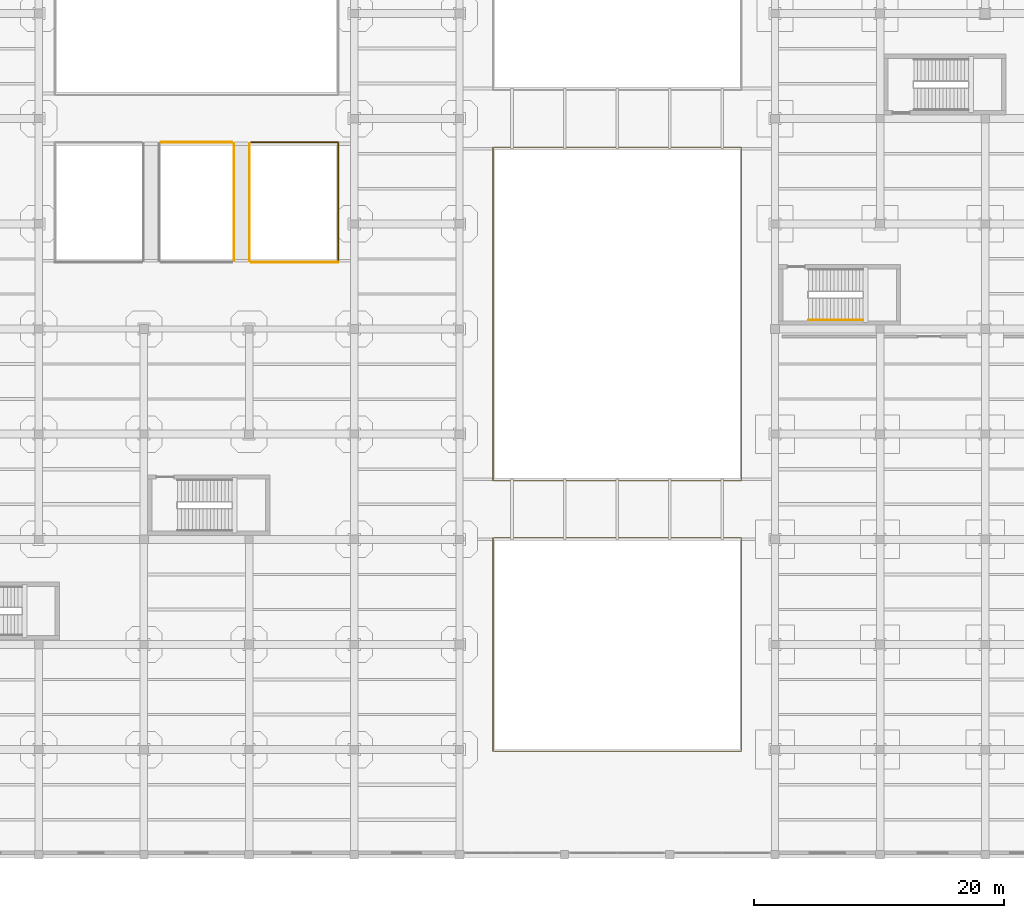
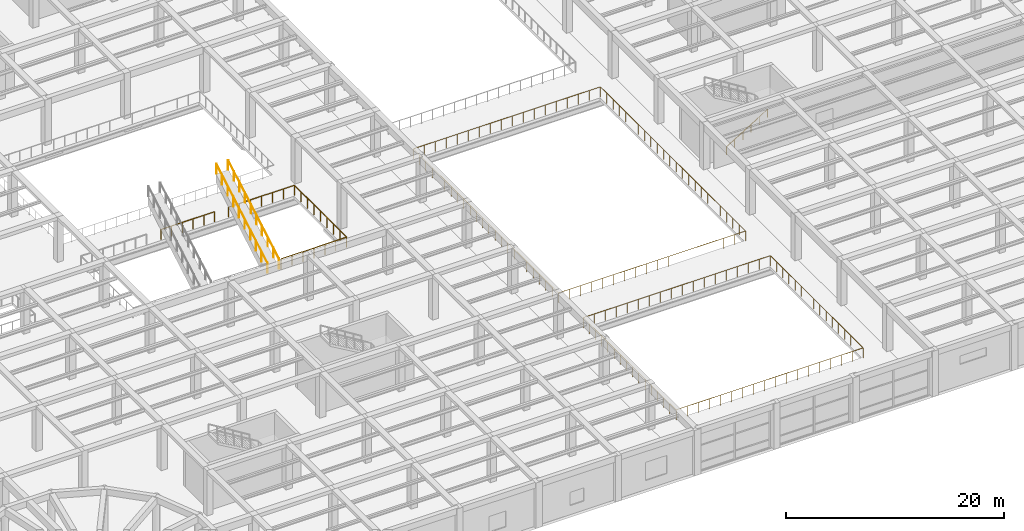
# One storey, part 56 of 65: 8 railings.
"""IFC4 building model written with IfcOpenShell, lengths in metres."""

import ifcopenshell
import ifcopenshell.guid

model = None  # the IFC model being written
_history = None  # IfcOwnerHistory: only IFC2X3 demands one
_inside = {}  # id of a spatial element -> (the spatial element, [elements in it])
_under = {}  # id of a project, library or spatial element -> (it, [spatial elements below it])
_declared = {}  # id of a project -> (the project, [libraries it declares])
_typed = {}  # id of a type object -> (the type object, [elements of that type])
_made_of = {}  # id of a material, layer set ... -> (it, [elements and type objects made of it])


def new_model(schema):
    """Start an empty IFC model of exactly this schema.

    Asked for "IFC4X3", IfcOpenShell would pick the latest addendum, in which some entities
    have other attributes; the version numbers below select the first issue.
    IFC2X3 requires an IfcOwnerHistory on every rooted entity: one is made here for all.
    """
    global model, _history
    if schema == "IFC4X3":
        model = ifcopenshell.file(schema_version=(4, 3, 0, 0))
    else:
        model = ifcopenshell.file(schema=schema)
    _inside.clear()
    _under.clear()
    _declared.clear()
    _typed.clear()
    _made_of.clear()
    _history = None
    if model.schema == "IFC2X3":
        org = make("IfcOrganization", Name="unknown")
        user = make(
            "IfcPersonAndOrganization",
            ThePerson=make("IfcPerson", FamilyName="unknown"),
            TheOrganization=org,
        )
        app = make(
            "IfcApplication",
            ApplicationDeveloper=org,
            Version="unknown",
            ApplicationFullName="unknown",
            ApplicationIdentifier="unknown",
        )
        _history = make(
            "IfcOwnerHistory",
            OwningUser=user,
            OwningApplication=app,
            ChangeAction="ADDED",
            CreationDate=0,
        )
    return model


def make(cls, **values):
    """One entity of the class cls with the attributes given. An attribute that is None is left unset."""
    return model.create_entity(
        cls, **{name: value for name, value in values.items() if value is not None}
    )


def rooted(cls, **values):
    """An entity with a GlobalId (a new one), such as an element, a storey or a relation."""
    return make(cls, GlobalId=ifcopenshell.guid.new(), OwnerHistory=_history, **values)


def si_unit(unit_type, name, prefix=None):
    """IfcSIUnit, for example si_unit("LENGTHUNIT", "METRE", prefix="MILLI")."""
    return make("IfcSIUnit", UnitType=unit_type, Prefix=prefix, Name=name)


def assignment(units):
    """IfcUnitAssignment: the units of a project."""
    return None if units is None else make("IfcUnitAssignment", Units=units)


def point(xyz):
    """IfcCartesianPoint."""
    return None if xyz is None else make("IfcCartesianPoint", Coordinates=xyz)


def direction(xyz):
    """IfcDirection."""
    return None if xyz is None else make("IfcDirection", DirectionRatios=xyz)


def frame(location, z_axis=None, x_axis=None):
    """IfcAxis2Placement3D, a coordinate frame: its origin and axes. An axis left out is left unset."""
    return make(
        "IfcAxis2Placement3D",
        Location=point(location),
        Axis=direction(z_axis),
        RefDirection=direction(x_axis),
    )


def frame_2d(location, x_axis=None):
    """IfcAxis2Placement2D, a coordinate frame in the plane: its origin and x axis."""
    return make(
        "IfcAxis2Placement2D", Location=point(location), RefDirection=direction(x_axis)
    )


def origin():
    """The frame at (0, 0, 0) with its axes left unset."""
    return frame((0.0, 0.0, 0.0))


def origin_2d():
    """The frame at (0, 0) in the plane with its x axis left unset."""
    return frame_2d((0.0, 0.0))


def place(relative_to, where):
    """IfcLocalPlacement: puts the frame where relative to a parent placement (None: the world)."""
    return make(
        "IfcLocalPlacement", PlacementRelTo=relative_to, RelativePlacement=where
    )


def context(
    kind, dimensions, precision=None, world=None, true_north=None, identifier=None
):
    """IfcGeometricRepresentationContext, for example the 3D "Model" context."""
    return make(
        "IfcGeometricRepresentationContext",
        ContextIdentifier=identifier,
        ContextType=kind,
        CoordinateSpaceDimension=dimensions,
        Precision=precision,
        WorldCoordinateSystem=world,
        TrueNorth=true_north,
    )


def subcontext(parent, identifier, kind, view, scale=None):
    """IfcGeometricRepresentationSubContext, for example "Body" below "Model"."""
    return make(
        "IfcGeometricRepresentationSubContext",
        ContextIdentifier=identifier,
        ContextType=kind,
        ParentContext=parent,
        TargetScale=scale,
        TargetView=view,
    )


def project(units=None, contexts=None):
    """IfcProject with its units and contexts."""
    return rooted(
        "IfcProject",
        Name="project",
        RepresentationContexts=contexts,
        UnitsInContext=assignment(units),
    )


def spatial(cls, under=None, at=None, **own):
    """A site, building, storey or space (cls), placed at a placement, below another one or the project."""
    s = rooted(cls, ObjectPlacement=at, **own)
    if under is not None:
        _under.setdefault(under.id(), (under, []))[1].append(s)
    return s


def profile(cls, at=None, kind="AREA", **sizes):
    """A parametric profile (cls). Its sizes go by their IFC names, for example OverallWidth=200.0."""
    return make(cls, ProfileType=kind, Position=at, **sizes)


def circle(**sizes):
    """IfcCircleProfileDef."""
    return profile("IfcCircleProfileDef", **sizes)


def extrude(swept, where, along, depth):
    """IfcExtrudedAreaSolid: the profile swept, set in the frame where, extruded along a direction by depth."""
    return make(
        "IfcExtrudedAreaSolid",
        SweptArea=swept,
        Position=where,
        ExtrudedDirection=direction(along),
        Depth=depth,
    )


def shape(context_of_items, identifier, shape_type, items):
    """IfcShapeRepresentation: the items that make up one representation, for example the "Body"."""
    return make(
        "IfcShapeRepresentation",
        ContextOfItems=context_of_items,
        RepresentationIdentifier=identifier,
        RepresentationType=shape_type,
        Items=items,
    )


def material(Name=None, Category=None):
    """IfcMaterial."""
    return make("IfcMaterial", Name=Name, Category=Category)


def made_of(thing, what):
    """Note that an element or type object is made of a material, layer set ...; save() writes the relation."""
    if what is not None:
        _made_of.setdefault(what.id(), (what, []))[1].append(thing)
    return thing


def type_object(cls, material=None, **own):
    """A type object (cls), such as IfcWallType, which elements share."""
    return made_of(rooted(cls, **own), material)


def element(
    cls,
    number,
    at=None,
    inside=None,
    cuts=None,
    type_object=None,
    material=None,
    context=None,
    identifier="Body",
    shape_type=None,
    held_by="IfcProductDefinitionShape",
    body=None,
    shapes=None,
    **own,
):
    """One element of the class cls, such as IfcWall. Its Tag is "e" and its number.

    at: its placement. inside: the storey or other place that contains it. cuts: it is an
    opening in that element (IfcRelVoidsElement). A single representation is given by context,
    identifier, shape_type and body (its items); several are given by shapes. held_by: the class
    of the entity that holds the representations. save() writes the other relations.
    """
    e = rooted(cls, Tag="e%d" % number, ObjectPlacement=at, **own)
    if body is not None:
        shapes = [shape(context, identifier, shape_type, body)]
    if shapes is not None:
        e.Representation = make(held_by, Representations=shapes)
    if inside is not None:
        _inside.setdefault(inside.id(), (inside, []))[1].append(e)
    if cuts is not None:
        rooted(
            "IfcRelVoidsElement", RelatingBuildingElement=cuts, RelatedOpeningElement=e
        )
    if type_object is not None:
        _typed.setdefault(type_object.id(), (type_object, []))[1].append(e)
    return made_of(e, material)


def aggregate(whole, parts):
    """IfcRelAggregates: a whole, such as a stair, and the parts it consists of."""
    return rooted("IfcRelAggregates", RelatingObject=whole, RelatedObjects=parts)


def save(model, path):
    """Write the relations noted so far, then the file.

    IfcRelAggregates (storeys below a building ...), IfcRelContainedInSpatialStructure (elements
    in a storey), IfcRelDefinesByType, IfcRelAssociatesMaterial and IfcRelDeclares: one each for
    every whole, place, type object, material and project.
    """
    for whole, parts in _under.values():
        aggregate(whole, parts)
    for where, things in _inside.values():
        rooted(
            "IfcRelContainedInSpatialStructure",
            RelatedElements=things,
            RelatingStructure=where,
        )
    for kind, things in _typed.values():
        rooted("IfcRelDefinesByType", RelatedObjects=things, RelatingType=kind)
    for what, things in _made_of.values():
        rooted("IfcRelAssociatesMaterial", RelatedObjects=things, RelatingMaterial=what)
    for by, libraries in _declared.values():
        rooted("IfcRelDeclares", RelatingContext=by, RelatedDefinitions=libraries)
    model.write(path)


model = new_model("IFC4")

# Units and contexts
model_context = context("Model", 3, precision=1e-05, world=origin(), true_north=direction((0.0, 1.0)))
body_context = subcontext(model_context, "Body", "Model", "MODEL_VIEW")
ifc_project = project(units=[si_unit("LENGTHUNIT", "METRE"), si_unit("AREAUNIT", "SQUARE_METRE"), si_unit("VOLUMEUNIT", "CUBIC_METRE"), si_unit("PLANEANGLEUNIT", "RADIAN"), si_unit("MASSUNIT", "GRAM", prefix="KILO")], contexts=[model_context])

# Site, building, storey
site_placement = place(None, origin())
site = spatial("IfcSite", under=ifc_project, at=site_placement, CompositionType="ELEMENT")
building_placement = place(site_placement, origin())
building = spatial("IfcBuilding", under=site, at=building_placement, Name="Almacenes y Pasaje Nevantli", CompositionType="ELEMENT")
storey_placement = place(building_placement, frame((0.0, 0.0, 16.800048828125)))
storey = spatial("IfcBuildingStorey", under=building, at=storey_placement, Name="L04", CompositionType="ELEMENT", Elevation=16.800048828125)

# Railings
ifc_material_1 = material(Name="Brushed Stainless Steel and Tempered Safety Glass", Category="steel")
railing_type_1 = type_object("IfcRailingType", Name="RL-GUARD-1100", PredefinedType="BALUSTRADE", material=ifc_material_1)
for number, where, name in (
    (1, (49.179931640625, 47.449951171875, 0.0), "Atrium Escalator ESC-08 W Balustrade"),
    (2, (50.419921875, 47.449951171875, 0.0), "Atrium Escalator ESC-08 E Balustrade"),
):
    element("IfcRailing", number, at=place(storey_placement, frame(where)), inside=storey, type_object=railing_type_1, Name=name, PredefinedType="BALUSTRADE", context=body_context, shape_type="SweptSolid", body=[
        extrude(circle(Radius=0.02392578125, at=origin_2d()), frame((0.0, 0.02587890625, 1.140869140625), z_axis=(0.0, 0.865960390863, 0.50011258878), x_axis=(-1.0, 0.0, 0.0)), (0.0, 0.0, 1.0), 10.7373046875),
        extrude(circle(Radius=0.02099609375, at=origin_2d()), origin(), (0.0, 0.0, 1.0), 1.096923828125),
        extrude(circle(Radius=0.02099609375, at=origin_2d()), frame((0.0, 1.038818359375, 0.60009765625)), (0.0, 0.0, 1.0), 1.096923828125),
        extrude(circle(Radius=0.02099609375, at=origin_2d()), frame((0.0, 2.077880859375, 1.199951171875)), (0.0, 0.0, 1.0), 1.096923828125),
        extrude(circle(Radius=0.02099609375, at=origin_2d()), frame((0.0, 3.11669921875, 1.800048828125)), (0.0, 0.0, 1.0), 1.096923828125),
        extrude(circle(Radius=0.02099609375, at=origin_2d()), frame((0.0, 4.155517578125, 2.39990234375)), (0.0, 0.0, 1.0), 1.096923828125),
        extrude(circle(Radius=0.02099609375, at=origin_2d()), frame((0.0, 5.194580078125, 3.0)), (0.0, 0.0, 1.0), 1.096923828125),
        extrude(circle(Radius=0.02099609375, at=origin_2d()), frame((0.0, 6.2333984375, 3.599853515625)), (0.0, 0.0, 1.0), 1.096923828125),
        extrude(circle(Radius=0.02099609375, at=origin_2d()), frame((0.0, 7.272216796875, 4.199951171875)), (0.0, 0.0, 1.0), 1.096923828125),
        extrude(circle(Radius=0.02099609375, at=origin_2d()), frame((0.0, 8.311279296875, 4.7998046875)), (0.0, 0.0, 1.0), 1.096923828125),
        extrude(circle(Radius=0.02099609375, at=origin_2d()), frame((0.0, 9.35009765625, 5.39990234375)), (0.0, 0.0, 1.0), 1.096923828125),
    ])
railing_1_placement = place(storey_placement, frame((43.35009765625, 56.919921875, 0.0)))
element("IfcRailing", 3, at=railing_1_placement, inside=storey, type_object=railing_type_1, Name="L04 South Atrium Bridge Center Guard Balustrade", PredefinedType="BALUSTRADE", context=body_context, shape_type="SweptSolid", body=[
    extrude(circle(Radius=0.02392578125, at=origin_2d()), frame((0.030029296875, 0.0, 1.1259765625), z_axis=(1.0, 0.0, 0.0), x_axis=(0.0, 1.0, 0.0)), (0.0, 0.0, 1.0), 5.639892578125),
    extrude(circle(Radius=0.02099609375, at=origin_2d()), origin(), (0.0, 0.0, 1.0), 1.096923828125),
    extrude(circle(Radius=0.02099609375, at=origin_2d()), frame((1.139892578125, 0.0, 0.0)), (0.0, 0.0, 1.0), 1.096923828125),
    extrude(circle(Radius=0.02099609375, at=origin_2d()), frame((2.280029296875, 0.0, 0.0)), (0.0, 0.0, 1.0), 1.096923828125),
    extrude(circle(Radius=0.02099609375, at=origin_2d()), frame((3.419921875, 0.0, 0.0)), (0.0, 0.0, 1.0), 1.096923828125),
    extrude(circle(Radius=0.02099609375, at=origin_2d()), frame((4.56005859375, 0.0, 0.0)), (0.0, 0.0, 1.0), 1.096923828125),
    extrude(circle(Radius=0.02099609375, at=origin_2d()), frame((5.699951171875, 0.0, 0.0)), (0.0, 0.0, 1.0), 1.096923828125),
])
railing_2_placement = place(storey_placement, frame((50.550048828125, 56.919921875, 0.0)))
element("IfcRailing", 4, at=railing_2_placement, inside=storey, type_object=railing_type_1, Name="L04 South Atrium Void East Guard Balustrade", PredefinedType="BALUSTRADE", context=body_context, shape_type="SweptSolid", body=[
    extrude(circle(Radius=0.02392578125, at=origin_2d()), frame((0.030029296875, 0.0, 1.1259765625), z_axis=(1.0, 0.0, 0.0), x_axis=(0.0, 1.0, 0.0)), (0.0, 0.0, 1.0), 6.909912109375),
    extrude(circle(Radius=0.02392578125, at=origin_2d()), frame((6.969970703125, -0.030029296875, 1.1259765625), z_axis=(0.0, -1.0, 0.0), x_axis=(1.0, 0.0, 0.0)), (0.0, 0.0, 1.0), 9.52978515625),
    extrude(circle(Radius=0.02099609375, at=origin_2d()), origin(), (0.0, 0.0, 1.0), 1.096923828125),
    extrude(circle(Radius=0.02099609375, at=origin_2d()), frame((1.16162109375, 0.0, 0.0)), (0.0, 0.0, 1.0), 1.096923828125),
    extrude(circle(Radius=0.02099609375, at=origin_2d()), frame((2.3232421875, 0.0, 0.0)), (0.0, 0.0, 1.0), 1.096923828125),
    extrude(circle(Radius=0.02099609375, at=origin_2d()), frame((3.48486328125, 0.0, 0.0)), (0.0, 0.0, 1.0), 1.096923828125),
    extrude(circle(Radius=0.02099609375, at=origin_2d()), frame((4.646728515625, 0.0, 0.0)), (0.0, 0.0, 1.0), 1.096923828125),
    extrude(circle(Radius=0.02099609375, at=origin_2d()), frame((5.808349609375, 0.0, 0.0)), (0.0, 0.0, 1.0), 1.096923828125),
    extrude(circle(Radius=0.02099609375, at=origin_2d()), frame((6.969970703125, 0.0, 0.0)), (0.0, 0.0, 1.0), 1.096923828125),
    extrude(circle(Radius=0.02099609375, at=origin_2d()), frame((6.969970703125, -1.19873046875, 0.0)), (0.0, 0.0, 1.0), 1.096923828125),
    extrude(circle(Radius=0.02099609375, at=origin_2d()), frame((6.969970703125, -2.3974609375, 0.0)), (0.0, 0.0, 1.0), 1.096923828125),
    extrude(circle(Radius=0.02099609375, at=origin_2d()), frame((6.969970703125, -3.59619140625, 0.0)), (0.0, 0.0, 1.0), 1.096923828125),
    extrude(circle(Radius=0.02099609375, at=origin_2d()), frame((6.969970703125, -4.794921875, 0.0)), (0.0, 0.0, 1.0), 1.096923828125),
    extrude(circle(Radius=0.02099609375, at=origin_2d()), frame((6.969970703125, -5.99365234375, 0.0)), (0.0, 0.0, 1.0), 1.096923828125),
    extrude(circle(Radius=0.02099609375, at=origin_2d()), frame((6.969970703125, -7.1923828125, 0.0)), (0.0, 0.0, 1.0), 1.096923828125),
    extrude(circle(Radius=0.02099609375, at=origin_2d()), frame((6.969970703125, -8.39111328125, 0.0)), (0.0, 0.0, 1.0), 1.096923828125),
    extrude(circle(Radius=0.02099609375, at=origin_2d()), frame((6.969970703125, -9.58984375, 0.0)), (0.0, 0.0, 1.0), 1.096923828125),
])
railing_3_placement = place(storey_placement, frame((50.550048828125, 47.330078125, 0.0)))
element("IfcRailing", 5, at=railing_3_placement, inside=storey, type_object=railing_type_1, Name="L04 South Atrium South-East Guard", PredefinedType="BALUSTRADE", context=body_context, shape_type="SweptSolid", body=[
    extrude(circle(Radius=0.02392578125, at=origin_2d()), frame((0.030029296875, 0.0, 1.1259765625), z_axis=(1.0, 0.0, 0.0), x_axis=(0.0, 1.0, 0.0)), (0.0, 0.0, 1.0), 6.909912109375),
    extrude(circle(Radius=0.02099609375, at=origin_2d()), origin(), (0.0, 0.0, 1.0), 1.096923828125),
    extrude(circle(Radius=0.02099609375, at=origin_2d()), frame((1.16162109375, 0.0, 0.0)), (0.0, 0.0, 1.0), 1.096923828125),
    extrude(circle(Radius=0.02099609375, at=origin_2d()), frame((2.3232421875, 0.0, 0.0)), (0.0, 0.0, 1.0), 1.096923828125),
    extrude(circle(Radius=0.02099609375, at=origin_2d()), frame((3.48486328125, 0.0, 0.0)), (0.0, 0.0, 1.0), 1.096923828125),
    extrude(circle(Radius=0.02099609375, at=origin_2d()), frame((4.646728515625, 0.0, 0.0)), (0.0, 0.0, 1.0), 1.096923828125),
    extrude(circle(Radius=0.02099609375, at=origin_2d()), frame((5.808349609375, 0.0, 0.0)), (0.0, 0.0, 1.0), 1.096923828125),
    extrude(circle(Radius=0.02099609375, at=origin_2d()), frame((6.969970703125, 0.0, 0.0)), (0.0, 0.0, 1.0), 1.096923828125),
])
railing_4_placement = place(storey_placement, frame((69.8798828125, 8.280029296875, 0.0)))
element("IfcRailing", 6, at=railing_4_placement, inside=storey, type_object=railing_type_1, Name="L04 Arcade Galleria Void VOID-ARC-1 Guard Balustrade", PredefinedType="BALUSTRADE", context=body_context, shape_type="SweptSolid", body=[
    extrude(circle(Radius=0.02392578125, at=origin_2d()), frame((0.030029296875, 0.0, 1.1259765625), z_axis=(1.0, 0.0, 0.0), x_axis=(0.0, 1.0, 0.0)), (0.0, 0.0, 1.0), 19.780029296875),
    extrude(circle(Radius=0.02392578125, at=origin_2d()), frame((19.840087890625, 0.030029296875, 1.1259765625), z_axis=(0.0, 1.0, 0.0), x_axis=(-1.0, 0.0, 0.0)), (0.0, 0.0, 1.0), 16.97998046875),
    extrude(circle(Radius=0.02392578125, at=origin_2d()), frame((19.81005859375, 17.0400390625, 1.1259765625), z_axis=(-1.0, 0.0, 0.0), x_axis=(0.0, -1.0, 0.0)), (0.0, 0.0, 1.0), 19.780029296875),
    extrude(circle(Radius=0.02392578125, at=origin_2d()), frame((0.0, 17.010009765625, 1.1259765625), z_axis=(0.0, -1.0, 0.0), x_axis=(1.0, 0.0, 0.0)), (0.0, 0.0, 1.0), 16.97998046875),
    extrude(circle(Radius=0.02099609375, at=origin_2d()), origin(), (0.0, 0.0, 1.0), 1.096923828125),
    extrude(circle(Radius=0.02099609375, at=origin_2d()), frame((1.1669921875, 0.0, 0.0)), (0.0, 0.0, 1.0), 1.096923828125),
    extrude(circle(Radius=0.02099609375, at=origin_2d()), frame((2.334228515625, 0.0, 0.0)), (0.0, 0.0, 1.0), 1.096923828125),
    extrude(circle(Radius=0.02099609375, at=origin_2d()), frame((3.501220703125, 0.0, 0.0)), (0.0, 0.0, 1.0), 1.096923828125),
    extrude(circle(Radius=0.02099609375, at=origin_2d()), frame((4.668212890625, 0.0, 0.0)), (0.0, 0.0, 1.0), 1.096923828125),
    extrude(circle(Radius=0.02099609375, at=origin_2d()), frame((5.835205078125, 0.0, 0.0)), (0.0, 0.0, 1.0), 1.096923828125),
    extrude(circle(Radius=0.02099609375, at=origin_2d()), frame((7.00244140625, 0.0, 0.0)), (0.0, 0.0, 1.0), 1.096923828125),
    extrude(circle(Radius=0.02099609375, at=origin_2d()), frame((8.16943359375, 0.0, 0.0)), (0.0, 0.0, 1.0), 1.096923828125),
    extrude(circle(Radius=0.02099609375, at=origin_2d()), frame((9.33642578125, 0.0, 0.0)), (0.0, 0.0, 1.0), 1.096923828125),
    extrude(circle(Radius=0.02099609375, at=origin_2d()), frame((10.503662109375, 0.0, 0.0)), (0.0, 0.0, 1.0), 1.096923828125),
    extrude(circle(Radius=0.02099609375, at=origin_2d()), frame((11.670654296875, 0.0, 0.0)), (0.0, 0.0, 1.0), 1.096923828125),
    extrude(circle(Radius=0.02099609375, at=origin_2d()), frame((12.837646484375, 0.0, 0.0)), (0.0, 0.0, 1.0), 1.096923828125),
    extrude(circle(Radius=0.02099609375, at=origin_2d()), frame((14.0048828125, 0.0, 0.0)), (0.0, 0.0, 1.0), 1.096923828125),
    extrude(circle(Radius=0.02099609375, at=origin_2d()), frame((15.171875, 0.0, 0.0)), (0.0, 0.0, 1.0), 1.096923828125),
    extrude(circle(Radius=0.02099609375, at=origin_2d()), frame((16.3388671875, 0.0, 0.0)), (0.0, 0.0, 1.0), 1.096923828125),
    extrude(circle(Radius=0.02099609375, at=origin_2d()), frame((17.505859375, 0.0, 0.0)), (0.0, 0.0, 1.0), 1.096923828125),
    extrude(circle(Radius=0.02099609375, at=origin_2d()), frame((18.673095703125, 0.0, 0.0)), (0.0, 0.0, 1.0), 1.096923828125),
    extrude(circle(Radius=0.02099609375, at=origin_2d()), frame((19.840087890625, 0.0, 0.0)), (0.0, 0.0, 1.0), 1.096923828125),
    extrude(circle(Radius=0.02099609375, at=origin_2d()), frame((19.840087890625, 1.135986328125, 0.0)), (0.0, 0.0, 1.0), 1.096923828125),
    extrude(circle(Radius=0.02099609375, at=origin_2d()), frame((19.840087890625, 2.27197265625, 0.0)), (0.0, 0.0, 1.0), 1.096923828125),
    extrude(circle(Radius=0.02099609375, at=origin_2d()), frame((19.840087890625, 3.407958984375, 0.0)), (0.0, 0.0, 1.0), 1.096923828125),
    extrude(circle(Radius=0.02099609375, at=origin_2d()), frame((19.840087890625, 4.5439453125, 0.0)), (0.0, 0.0, 1.0), 1.096923828125),
    extrude(circle(Radius=0.02099609375, at=origin_2d()), frame((19.840087890625, 5.679931640625, 0.0)), (0.0, 0.0, 1.0), 1.096923828125),
    extrude(circle(Radius=0.02099609375, at=origin_2d()), frame((19.840087890625, 6.81591796875, 0.0)), (0.0, 0.0, 1.0), 1.096923828125),
    extrude(circle(Radius=0.02099609375, at=origin_2d()), frame((19.840087890625, 7.951904296875, 0.0)), (0.0, 0.0, 1.0), 1.096923828125),
    extrude(circle(Radius=0.02099609375, at=origin_2d()), frame((19.840087890625, 9.088134765625, 0.0)), (0.0, 0.0, 1.0), 1.096923828125),
    extrude(circle(Radius=0.02099609375, at=origin_2d()), frame((19.840087890625, 10.22412109375, 0.0)), (0.0, 0.0, 1.0), 1.096923828125),
    extrude(circle(Radius=0.02099609375, at=origin_2d()), frame((19.840087890625, 11.360107421875, 0.0)), (0.0, 0.0, 1.0), 1.096923828125),
    extrude(circle(Radius=0.02099609375, at=origin_2d()), frame((19.840087890625, 12.49609375, 0.0)), (0.0, 0.0, 1.0), 1.096923828125),
    extrude(circle(Radius=0.02099609375, at=origin_2d()), frame((19.840087890625, 13.632080078125, 0.0)), (0.0, 0.0, 1.0), 1.096923828125),
    extrude(circle(Radius=0.02099609375, at=origin_2d()), frame((19.840087890625, 14.76806640625, 0.0)), (0.0, 0.0, 1.0), 1.096923828125),
    extrude(circle(Radius=0.02099609375, at=origin_2d()), frame((19.840087890625, 15.904052734375, 0.0)), (0.0, 0.0, 1.0), 1.096923828125),
    extrude(circle(Radius=0.02099609375, at=origin_2d()), frame((19.840087890625, 17.0400390625, 0.0)), (0.0, 0.0, 1.0), 1.096923828125),
    extrude(circle(Radius=0.02099609375, at=origin_2d()), frame((18.673095703125, 17.0400390625, 0.0)), (0.0, 0.0, 1.0), 1.096923828125),
    extrude(circle(Radius=0.02099609375, at=origin_2d()), frame((17.505859375, 17.0400390625, 0.0)), (0.0, 0.0, 1.0), 1.096923828125),
    extrude(circle(Radius=0.02099609375, at=origin_2d()), frame((16.3388671875, 17.0400390625, 0.0)), (0.0, 0.0, 1.0), 1.096923828125),
    extrude(circle(Radius=0.02099609375, at=origin_2d()), frame((15.171875, 17.0400390625, 0.0)), (0.0, 0.0, 1.0), 1.096923828125),
    extrude(circle(Radius=0.02099609375, at=origin_2d()), frame((14.0048828125, 17.0400390625, 0.0)), (0.0, 0.0, 1.0), 1.096923828125),
    extrude(circle(Radius=0.02099609375, at=origin_2d()), frame((12.837646484375, 17.0400390625, 0.0)), (0.0, 0.0, 1.0), 1.096923828125),
    extrude(circle(Radius=0.02099609375, at=origin_2d()), frame((11.670654296875, 17.0400390625, 0.0)), (0.0, 0.0, 1.0), 1.096923828125),
    extrude(circle(Radius=0.02099609375, at=origin_2d()), frame((10.503662109375, 17.0400390625, 0.0)), (0.0, 0.0, 1.0), 1.096923828125),
    extrude(circle(Radius=0.02099609375, at=origin_2d()), frame((9.33642578125, 17.0400390625, 0.0)), (0.0, 0.0, 1.0), 1.096923828125),
    extrude(circle(Radius=0.02099609375, at=origin_2d()), frame((8.16943359375, 17.0400390625, 0.0)), (0.0, 0.0, 1.0), 1.096923828125),
    extrude(circle(Radius=0.02099609375, at=origin_2d()), frame((7.00244140625, 17.0400390625, 0.0)), (0.0, 0.0, 1.0), 1.096923828125),
    extrude(circle(Radius=0.02099609375, at=origin_2d()), frame((5.835205078125, 17.0400390625, 0.0)), (0.0, 0.0, 1.0), 1.096923828125),
    extrude(circle(Radius=0.02099609375, at=origin_2d()), frame((4.668212890625, 17.0400390625, 0.0)), (0.0, 0.0, 1.0), 1.096923828125),
    extrude(circle(Radius=0.02099609375, at=origin_2d()), frame((3.501220703125, 17.0400390625, 0.0)), (0.0, 0.0, 1.0), 1.096923828125),
    extrude(circle(Radius=0.02099609375, at=origin_2d()), frame((2.334228515625, 17.0400390625, 0.0)), (0.0, 0.0, 1.0), 1.096923828125),
    extrude(circle(Radius=0.02099609375, at=origin_2d()), frame((1.1669921875, 17.0400390625, 0.0)), (0.0, 0.0, 1.0), 1.096923828125),
    extrude(circle(Radius=0.02099609375, at=origin_2d()), frame((0.0, 17.0400390625, 0.0)), (0.0, 0.0, 1.0), 1.096923828125),
    extrude(circle(Radius=0.02099609375, at=origin_2d()), frame((0.0, 15.904052734375, 0.0)), (0.0, 0.0, 1.0), 1.096923828125),
    extrude(circle(Radius=0.02099609375, at=origin_2d()), frame((0.0, 14.76806640625, 0.0)), (0.0, 0.0, 1.0), 1.096923828125),
    extrude(circle(Radius=0.02099609375, at=origin_2d()), frame((0.0, 13.632080078125, 0.0)), (0.0, 0.0, 1.0), 1.096923828125),
    extrude(circle(Radius=0.02099609375, at=origin_2d()), frame((0.0, 12.49609375, 0.0)), (0.0, 0.0, 1.0), 1.096923828125),
    extrude(circle(Radius=0.02099609375, at=origin_2d()), frame((0.0, 11.360107421875, 0.0)), (0.0, 0.0, 1.0), 1.096923828125),
    extrude(circle(Radius=0.02099609375, at=origin_2d()), frame((0.0, 10.22412109375, 0.0)), (0.0, 0.0, 1.0), 1.096923828125),
    extrude(circle(Radius=0.02099609375, at=origin_2d()), frame((0.0, 9.088134765625, 0.0)), (0.0, 0.0, 1.0), 1.096923828125),
    extrude(circle(Radius=0.02099609375, at=origin_2d()), frame((0.0, 7.951904296875, 0.0)), (0.0, 0.0, 1.0), 1.096923828125),
    extrude(circle(Radius=0.02099609375, at=origin_2d()), frame((0.0, 6.81591796875, 0.0)), (0.0, 0.0, 1.0), 1.096923828125),
    extrude(circle(Radius=0.02099609375, at=origin_2d()), frame((0.0, 5.679931640625, 0.0)), (0.0, 0.0, 1.0), 1.096923828125),
    extrude(circle(Radius=0.02099609375, at=origin_2d()), frame((0.0, 4.5439453125, 0.0)), (0.0, 0.0, 1.0), 1.096923828125),
    extrude(circle(Radius=0.02099609375, at=origin_2d()), frame((0.0, 3.407958984375, 0.0)), (0.0, 0.0, 1.0), 1.096923828125),
    extrude(circle(Radius=0.02099609375, at=origin_2d()), frame((0.0, 2.27197265625, 0.0)), (0.0, 0.0, 1.0), 1.096923828125),
    extrude(circle(Radius=0.02099609375, at=origin_2d()), frame((0.0, 1.135986328125, 0.0)), (0.0, 0.0, 1.0), 1.096923828125),
])
railing_5_placement = place(storey_placement, frame((69.8798828125, 29.8798828125, 0.0)))
element("IfcRailing", 7, at=railing_5_placement, inside=storey, type_object=railing_type_1, Name="L04 Arcade Galleria Void VOID-ARC-2 Guard Balustrade", PredefinedType="BALUSTRADE", context=body_context, shape_type="SweptSolid", body=[
    extrude(circle(Radius=0.02392578125, at=origin_2d()), frame((0.030029296875, 0.0, 1.1259765625), z_axis=(1.0, 0.0, 0.0), x_axis=(0.0, 1.0, 0.0)), (0.0, 0.0, 1.0), 19.780029296875),
    extrude(circle(Radius=0.02392578125, at=origin_2d()), frame((19.840087890625, 0.030029296875, 1.1259765625), z_axis=(0.0, 1.0, 0.0), x_axis=(-1.0, 0.0, 0.0)), (0.0, 0.0, 1.0), 26.580078125),
    extrude(circle(Radius=0.02392578125, at=origin_2d()), frame((19.81005859375, 26.64013671875, 1.1259765625), z_axis=(-1.0, 0.0, 0.0), x_axis=(0.0, -1.0, 0.0)), (0.0, 0.0, 1.0), 19.780029296875),
    extrude(circle(Radius=0.02392578125, at=origin_2d()), frame((0.0, 26.610107421875, 1.1259765625), z_axis=(0.0, -1.0, 0.0), x_axis=(1.0, 0.0, 0.0)), (0.0, 0.0, 1.0), 26.580078125),
    extrude(circle(Radius=0.02099609375, at=origin_2d()), origin(), (0.0, 0.0, 1.0), 1.096923828125),
    extrude(circle(Radius=0.02099609375, at=origin_2d()), frame((1.1669921875, 0.0, 0.0)), (0.0, 0.0, 1.0), 1.096923828125),
    extrude(circle(Radius=0.02099609375, at=origin_2d()), frame((2.334228515625, 0.0, 0.0)), (0.0, 0.0, 1.0), 1.096923828125),
    extrude(circle(Radius=0.02099609375, at=origin_2d()), frame((3.501220703125, 0.0, 0.0)), (0.0, 0.0, 1.0), 1.096923828125),
    extrude(circle(Radius=0.02099609375, at=origin_2d()), frame((4.668212890625, 0.0, 0.0)), (0.0, 0.0, 1.0), 1.096923828125),
    extrude(circle(Radius=0.02099609375, at=origin_2d()), frame((5.835205078125, 0.0, 0.0)), (0.0, 0.0, 1.0), 1.096923828125),
    extrude(circle(Radius=0.02099609375, at=origin_2d()), frame((7.00244140625, 0.0, 0.0)), (0.0, 0.0, 1.0), 1.096923828125),
    extrude(circle(Radius=0.02099609375, at=origin_2d()), frame((8.16943359375, 0.0, 0.0)), (0.0, 0.0, 1.0), 1.096923828125),
    extrude(circle(Radius=0.02099609375, at=origin_2d()), frame((9.33642578125, 0.0, 0.0)), (0.0, 0.0, 1.0), 1.096923828125),
    extrude(circle(Radius=0.02099609375, at=origin_2d()), frame((10.503662109375, 0.0, 0.0)), (0.0, 0.0, 1.0), 1.096923828125),
    extrude(circle(Radius=0.02099609375, at=origin_2d()), frame((11.670654296875, 0.0, 0.0)), (0.0, 0.0, 1.0), 1.096923828125),
    extrude(circle(Radius=0.02099609375, at=origin_2d()), frame((12.837646484375, 0.0, 0.0)), (0.0, 0.0, 1.0), 1.096923828125),
    extrude(circle(Radius=0.02099609375, at=origin_2d()), frame((14.0048828125, 0.0, 0.0)), (0.0, 0.0, 1.0), 1.096923828125),
    extrude(circle(Radius=0.02099609375, at=origin_2d()), frame((15.171875, 0.0, 0.0)), (0.0, 0.0, 1.0), 1.096923828125),
    extrude(circle(Radius=0.02099609375, at=origin_2d()), frame((16.3388671875, 0.0, 0.0)), (0.0, 0.0, 1.0), 1.096923828125),
    extrude(circle(Radius=0.02099609375, at=origin_2d()), frame((17.505859375, 0.0, 0.0)), (0.0, 0.0, 1.0), 1.096923828125),
    extrude(circle(Radius=0.02099609375, at=origin_2d()), frame((18.673095703125, 0.0, 0.0)), (0.0, 0.0, 1.0), 1.096923828125),
    extrude(circle(Radius=0.02099609375, at=origin_2d()), frame((19.840087890625, 0.0, 0.0)), (0.0, 0.0, 1.0), 1.096923828125),
    extrude(circle(Radius=0.02099609375, at=origin_2d()), frame((19.840087890625, 1.158203125, 0.0)), (0.0, 0.0, 1.0), 1.096923828125),
    extrude(circle(Radius=0.02099609375, at=origin_2d()), frame((19.840087890625, 2.316650390625, 0.0)), (0.0, 0.0, 1.0), 1.096923828125),
    extrude(circle(Radius=0.02099609375, at=origin_2d()), frame((19.840087890625, 3.474853515625, 0.0)), (0.0, 0.0, 1.0), 1.096923828125),
    extrude(circle(Radius=0.02099609375, at=origin_2d()), frame((19.840087890625, 4.633056640625, 0.0)), (0.0, 0.0, 1.0), 1.096923828125),
    extrude(circle(Radius=0.02099609375, at=origin_2d()), frame((19.840087890625, 5.791259765625, 0.0)), (0.0, 0.0, 1.0), 1.096923828125),
    extrude(circle(Radius=0.02099609375, at=origin_2d()), frame((19.840087890625, 6.94970703125, 0.0)), (0.0, 0.0, 1.0), 1.096923828125),
    extrude(circle(Radius=0.02099609375, at=origin_2d()), frame((19.840087890625, 8.10791015625, 0.0)), (0.0, 0.0, 1.0), 1.096923828125),
    extrude(circle(Radius=0.02099609375, at=origin_2d()), frame((19.840087890625, 9.26611328125, 0.0)), (0.0, 0.0, 1.0), 1.096923828125),
    extrude(circle(Radius=0.02099609375, at=origin_2d()), frame((19.840087890625, 10.42431640625, 0.0)), (0.0, 0.0, 1.0), 1.096923828125),
    extrude(circle(Radius=0.02099609375, at=origin_2d()), frame((19.840087890625, 11.582763671875, 0.0)), (0.0, 0.0, 1.0), 1.096923828125),
    extrude(circle(Radius=0.02099609375, at=origin_2d()), frame((19.840087890625, 12.740966796875, 0.0)), (0.0, 0.0, 1.0), 1.096923828125),
    extrude(circle(Radius=0.02099609375, at=origin_2d()), frame((19.840087890625, 13.899169921875, 0.0)), (0.0, 0.0, 1.0), 1.096923828125),
    extrude(circle(Radius=0.02099609375, at=origin_2d()), frame((19.840087890625, 15.057373046875, 0.0)), (0.0, 0.0, 1.0), 1.096923828125),
    extrude(circle(Radius=0.02099609375, at=origin_2d()), frame((19.840087890625, 16.2158203125, 0.0)), (0.0, 0.0, 1.0), 1.096923828125),
    extrude(circle(Radius=0.02099609375, at=origin_2d()), frame((19.840087890625, 17.3740234375, 0.0)), (0.0, 0.0, 1.0), 1.096923828125),
    extrude(circle(Radius=0.02099609375, at=origin_2d()), frame((19.840087890625, 18.5322265625, 0.0)), (0.0, 0.0, 1.0), 1.096923828125),
    extrude(circle(Radius=0.02099609375, at=origin_2d()), frame((19.840087890625, 19.6904296875, 0.0)), (0.0, 0.0, 1.0), 1.096923828125),
    extrude(circle(Radius=0.02099609375, at=origin_2d()), frame((19.840087890625, 20.848876953125, 0.0)), (0.0, 0.0, 1.0), 1.096923828125),
    extrude(circle(Radius=0.02099609375, at=origin_2d()), frame((19.840087890625, 22.007080078125, 0.0)), (0.0, 0.0, 1.0), 1.096923828125),
    extrude(circle(Radius=0.02099609375, at=origin_2d()), frame((19.840087890625, 23.165283203125, 0.0)), (0.0, 0.0, 1.0), 1.096923828125),
    extrude(circle(Radius=0.02099609375, at=origin_2d()), frame((19.840087890625, 24.323486328125, 0.0)), (0.0, 0.0, 1.0), 1.096923828125),
    extrude(circle(Radius=0.02099609375, at=origin_2d()), frame((19.840087890625, 25.48193359375, 0.0)), (0.0, 0.0, 1.0), 1.096923828125),
    extrude(circle(Radius=0.02099609375, at=origin_2d()), frame((19.840087890625, 26.64013671875, 0.0)), (0.0, 0.0, 1.0), 1.096923828125),
    extrude(circle(Radius=0.02099609375, at=origin_2d()), frame((18.673095703125, 26.64013671875, 0.0)), (0.0, 0.0, 1.0), 1.096923828125),
    extrude(circle(Radius=0.02099609375, at=origin_2d()), frame((17.505859375, 26.64013671875, 0.0)), (0.0, 0.0, 1.0), 1.096923828125),
    extrude(circle(Radius=0.02099609375, at=origin_2d()), frame((16.3388671875, 26.64013671875, 0.0)), (0.0, 0.0, 1.0), 1.096923828125),
    extrude(circle(Radius=0.02099609375, at=origin_2d()), frame((15.171875, 26.64013671875, 0.0)), (0.0, 0.0, 1.0), 1.096923828125),
    extrude(circle(Radius=0.02099609375, at=origin_2d()), frame((14.0048828125, 26.64013671875, 0.0)), (0.0, 0.0, 1.0), 1.096923828125),
    extrude(circle(Radius=0.02099609375, at=origin_2d()), frame((12.837646484375, 26.64013671875, 0.0)), (0.0, 0.0, 1.0), 1.096923828125),
    extrude(circle(Radius=0.02099609375, at=origin_2d()), frame((11.670654296875, 26.64013671875, 0.0)), (0.0, 0.0, 1.0), 1.096923828125),
    extrude(circle(Radius=0.02099609375, at=origin_2d()), frame((10.503662109375, 26.64013671875, 0.0)), (0.0, 0.0, 1.0), 1.096923828125),
    extrude(circle(Radius=0.02099609375, at=origin_2d()), frame((9.33642578125, 26.64013671875, 0.0)), (0.0, 0.0, 1.0), 1.096923828125),
    extrude(circle(Radius=0.02099609375, at=origin_2d()), frame((8.16943359375, 26.64013671875, 0.0)), (0.0, 0.0, 1.0), 1.096923828125),
    extrude(circle(Radius=0.02099609375, at=origin_2d()), frame((7.00244140625, 26.64013671875, 0.0)), (0.0, 0.0, 1.0), 1.096923828125),
    extrude(circle(Radius=0.02099609375, at=origin_2d()), frame((5.835205078125, 26.64013671875, 0.0)), (0.0, 0.0, 1.0), 1.096923828125),
    extrude(circle(Radius=0.02099609375, at=origin_2d()), frame((4.668212890625, 26.64013671875, 0.0)), (0.0, 0.0, 1.0), 1.096923828125),
    extrude(circle(Radius=0.02099609375, at=origin_2d()), frame((3.501220703125, 26.64013671875, 0.0)), (0.0, 0.0, 1.0), 1.096923828125),
    extrude(circle(Radius=0.02099609375, at=origin_2d()), frame((2.334228515625, 26.64013671875, 0.0)), (0.0, 0.0, 1.0), 1.096923828125),
    extrude(circle(Radius=0.02099609375, at=origin_2d()), frame((1.1669921875, 26.64013671875, 0.0)), (0.0, 0.0, 1.0), 1.096923828125),
    extrude(circle(Radius=0.02099609375, at=origin_2d()), frame((0.0, 26.64013671875, 0.0)), (0.0, 0.0, 1.0), 1.096923828125),
    extrude(circle(Radius=0.02099609375, at=origin_2d()), frame((0.0, 25.48193359375, 0.0)), (0.0, 0.0, 1.0), 1.096923828125),
    extrude(circle(Radius=0.02099609375, at=origin_2d()), frame((0.0, 24.323486328125, 0.0)), (0.0, 0.0, 1.0), 1.096923828125),
    extrude(circle(Radius=0.02099609375, at=origin_2d()), frame((0.0, 23.165283203125, 0.0)), (0.0, 0.0, 1.0), 1.096923828125),
    extrude(circle(Radius=0.02099609375, at=origin_2d()), frame((0.0, 22.007080078125, 0.0)), (0.0, 0.0, 1.0), 1.096923828125),
    extrude(circle(Radius=0.02099609375, at=origin_2d()), frame((0.0, 20.848876953125, 0.0)), (0.0, 0.0, 1.0), 1.096923828125),
    extrude(circle(Radius=0.02099609375, at=origin_2d()), frame((0.0, 19.6904296875, 0.0)), (0.0, 0.0, 1.0), 1.096923828125),
    extrude(circle(Radius=0.02099609375, at=origin_2d()), frame((0.0, 18.5322265625, 0.0)), (0.0, 0.0, 1.0), 1.096923828125),
    extrude(circle(Radius=0.02099609375, at=origin_2d()), frame((0.0, 17.3740234375, 0.0)), (0.0, 0.0, 1.0), 1.096923828125),
    extrude(circle(Radius=0.02099609375, at=origin_2d()), frame((0.0, 16.2158203125, 0.0)), (0.0, 0.0, 1.0), 1.096923828125),
    extrude(circle(Radius=0.02099609375, at=origin_2d()), frame((0.0, 15.057373046875, 0.0)), (0.0, 0.0, 1.0), 1.096923828125),
    extrude(circle(Radius=0.02099609375, at=origin_2d()), frame((0.0, 13.899169921875, 0.0)), (0.0, 0.0, 1.0), 1.096923828125),
    extrude(circle(Radius=0.02099609375, at=origin_2d()), frame((0.0, 12.740966796875, 0.0)), (0.0, 0.0, 1.0), 1.096923828125),
    extrude(circle(Radius=0.02099609375, at=origin_2d()), frame((0.0, 11.582763671875, 0.0)), (0.0, 0.0, 1.0), 1.096923828125),
    extrude(circle(Radius=0.02099609375, at=origin_2d()), frame((0.0, 10.42431640625, 0.0)), (0.0, 0.0, 1.0), 1.096923828125),
    extrude(circle(Radius=0.02099609375, at=origin_2d()), frame((0.0, 9.26611328125, 0.0)), (0.0, 0.0, 1.0), 1.096923828125),
    extrude(circle(Radius=0.02099609375, at=origin_2d()), frame((0.0, 8.10791015625, 0.0)), (0.0, 0.0, 1.0), 1.096923828125),
    extrude(circle(Radius=0.02099609375, at=origin_2d()), frame((0.0, 6.94970703125, 0.0)), (0.0, 0.0, 1.0), 1.096923828125),
    extrude(circle(Radius=0.02099609375, at=origin_2d()), frame((0.0, 5.791259765625, 0.0)), (0.0, 0.0, 1.0), 1.096923828125),
    extrude(circle(Radius=0.02099609375, at=origin_2d()), frame((0.0, 4.633056640625, 0.0)), (0.0, 0.0, 1.0), 1.096923828125),
    extrude(circle(Radius=0.02099609375, at=origin_2d()), frame((0.0, 3.474853515625, 0.0)), (0.0, 0.0, 1.0), 1.096923828125),
    extrude(circle(Radius=0.02099609375, at=origin_2d()), frame((0.0, 2.316650390625, 0.0)), (0.0, 0.0, 1.0), 1.096923828125),
    extrude(circle(Radius=0.02099609375, at=origin_2d()), frame((0.0, 1.158203125, 0.0)), (0.0, 0.0, 1.0), 1.096923828125),
])
ifc_material_2 = material(Name="Brushed Stainless Steel Tube", Category="steel")
railing_type_2 = type_object("IfcRailingType", Name="RL-HANDRAIL-900", PredefinedType="HANDRAIL", material=ifc_material_2)
railing_6_placement = place(storey_placement, frame((95.10009765625, 42.7099609375, 0.0)))
element("IfcRailing", 8, at=railing_6_placement, inside=storey, type_object=railing_type_2, Name="L04 Stair ST-08 Lower Flight Handrail", PredefinedType="HANDRAIL", context=body_context, shape_type="SweptSolid", body=[
    extrude(circle(Radius=0.02392578125, at=origin_2d()), frame((0.025390625, 0.0, 0.8916015625), z_axis=(0.849636482215, 0.0, 0.527368797038), x_axis=(0.0, 1.0, 0.0)), (0.0, 0.0, 1.0), 5.0595703125),
    extrude(circle(Radius=0.02099609375, at=origin_2d()), origin(), (0.0, 0.0, 1.0), 0.846923828125),
    extrude(circle(Radius=0.02099609375, at=origin_2d()), frame((0.869873046875, 0.0, 0.5400390625)), (0.0, 0.0, 1.0), 0.846923828125),
    extrude(circle(Radius=0.02099609375, at=origin_2d()), frame((1.739990234375, 0.0, 1.080078125)), (0.0, 0.0, 1.0), 0.846923828125),
    extrude(circle(Radius=0.02099609375, at=origin_2d()), frame((2.60986328125, 0.0, 1.619873046875)), (0.0, 0.0, 1.0), 0.846923828125),
    extrude(circle(Radius=0.02099609375, at=origin_2d()), frame((3.47998046875, 0.0, 2.159912109375)), (0.0, 0.0, 1.0), 0.846923828125),
    extrude(circle(Radius=0.02099609375, at=origin_2d()), frame((4.349853515625, 0.0, 2.699951171875)), (0.0, 0.0, 1.0), 0.846923828125),
])

save(model, "model.ifc")
